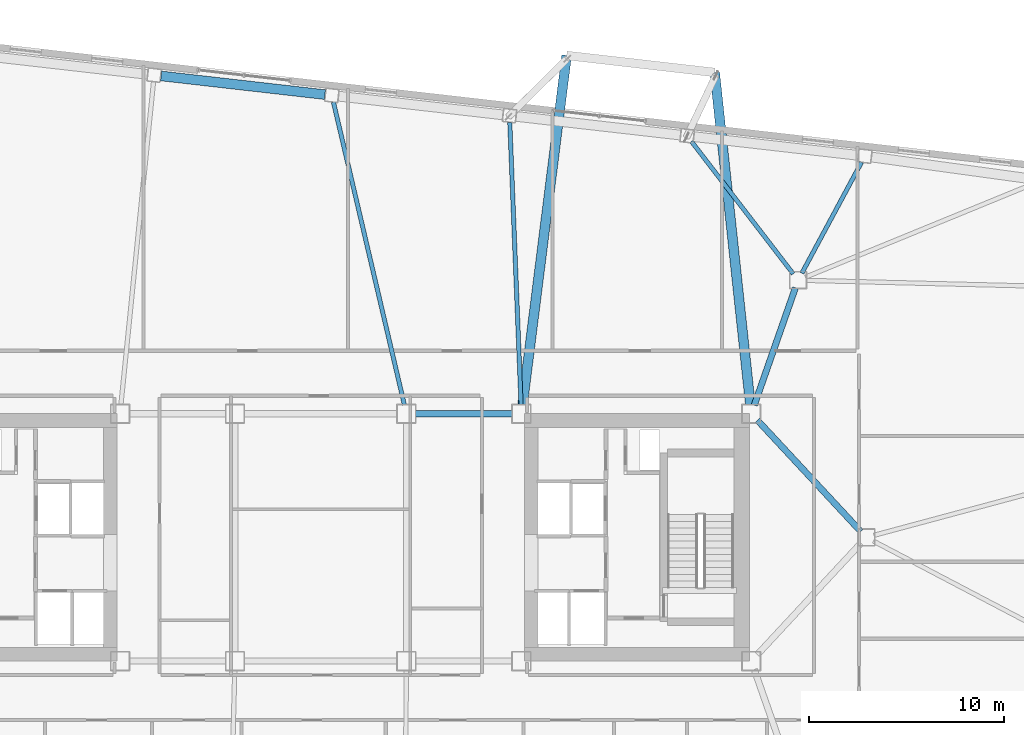
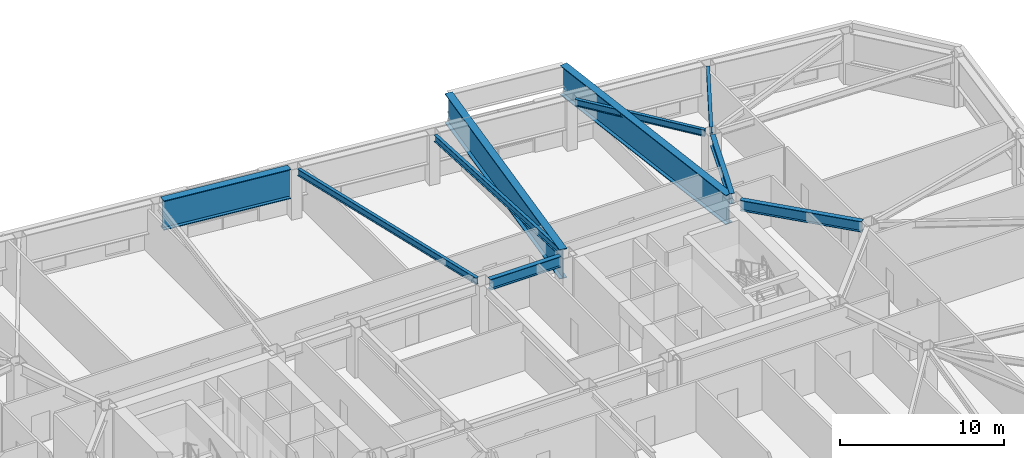
# One storey, part 7 of 21: 10 beams.
"""IFC4 building model written with IfcOpenShell, lengths in metres."""

from ifc_helpers import new_model, si_unit, direction, frame, origin, origin_2d, place, context, subcontext, project, spatial, i_section, extrude, material, material_profile, profile_set, type_object, element, save


model = new_model("IFC4")

# Units and contexts
model_context = context("Model", 3, precision=1e-05, world=origin(), true_north=direction((0.0, 1.0)))
body_context = subcontext(model_context, "Body", "Model", "MODEL_VIEW")
ifc_project = project(units=[si_unit("LENGTHUNIT", "METRE"), si_unit("AREAUNIT", "SQUARE_METRE"), si_unit("VOLUMEUNIT", "CUBIC_METRE"), si_unit("PLANEANGLEUNIT", "RADIAN"), si_unit("MASSUNIT", "GRAM", prefix="KILO")], contexts=[model_context])

# Site, building, storey
site_placement = place(None, origin())
site = spatial("IfcSite", under=ifc_project, at=site_placement, CompositionType="ELEMENT")
building_placement = place(site_placement, origin())
building = spatial("IfcBuilding", under=site, at=building_placement, Name="Tavrogorsk Clinical Tower", CompositionType="ELEMENT")
storey_placement = place(building_placement, frame((0.0, 0.0, 109.39990234375)))
storey = spatial("IfcBuildingStorey", under=building, at=storey_placement, Name="L24", CompositionType="ELEMENT", Elevation=109.39990234375)

# Beams
ifc_material_1 = material(Name="Structural steel S355", Category="steel")
ifc_material_profile_1 = material_profile(ifc_material_1, i_section(OverallWidth=0.219970703125, OverallDepth=0.5, WebThickness=0.012939453125, FlangeThickness=0.02001953125, at=origin_2d()), Name="B-500x220x13x20")
ifc_profile_set_1 = profile_set([ifc_material_profile_1], Name="Structural steel S355")
beam_type_1 = type_object("IfcBeamType", Name="FloorBeam_B500", PredefinedType="BEAM", material=ifc_profile_set_1)
beam_1_placement = place(storey_placement, frame((24.6943359375, 13.56103515625, 3.489990234375), z_axis=(0.473788919736, 0.880638438597, 0.0), x_axis=(-0.880638438597, 0.473788919736, 0.0)))
element("IfcBeam", 1, at=beam_1_placement, inside=storey, type_object=beam_type_1, Name="L24 Radial Floor Beam N2", PredefinedType="BEAM", context=body_context, shape_type="SweptSolid", body=[
    extrude(i_section(OverallWidth=0.219970703125, OverallDepth=0.5, WebThickness=0.012939453125, FlangeThickness=0.02001953125, at=origin_2d()), origin(), (0.0, 0.0, 1.0), 6.462890625),
])
beam_2_placement = place(storey_placement, frame((24.250244140625, 13.525146484375, 3.489990234375), z_axis=(-0.609376288757, 0.792881163038, 0.0), x_axis=(-0.792881163038, -0.609376288757, 0.0)))
element("IfcBeam", 2, at=beam_2_placement, inside=storey, type_object=beam_type_1, Name="L24 Radial Floor Beam N3", PredefinedType="BEAM", context=body_context, shape_type="SweptSolid", body=[
    extrude(i_section(OverallWidth=0.219970703125, OverallDepth=0.5, WebThickness=0.012939453125, FlangeThickness=0.02001953125, at=origin_2d()), origin(), (0.0, 0.0, 1.0), 8.5732421875),
])
beam_3_placement = place(storey_placement, frame((10.28173828125, 6.8095703125, 3.489990234375), z_axis=(-0.039881908424, 0.999204400201, 0.0), x_axis=(-0.999204400201, -0.039881908424, 0.0)))
element("IfcBeam", 3, at=beam_3_placement, inside=storey, type_object=beam_type_1, Name="L24 Radial Floor Beam N4", PredefinedType="BEAM", context=body_context, shape_type="SweptSolid", body=[
    extrude(i_section(OverallWidth=0.219970703125, OverallDepth=0.5, WebThickness=0.012939453125, FlangeThickness=0.02001953125, at=origin_2d()), origin(), (0.0, 0.0, 1.0), 14.48974609375),
])
beam_4_placement = place(storey_placement, frame((4.294921875, 6.7978515625, 3.489990234375), z_axis=(-0.228197667081, 0.973614823603, 0.0), x_axis=(-0.973614823603, -0.228197667081, 0.0)))
element("IfcBeam", 4, at=beam_4_placement, inside=storey, type_object=beam_type_1, Name="L24 Radial Floor Beam N5", PredefinedType="BEAM", context=body_context, shape_type="SweptSolid", body=[
    extrude(i_section(OverallWidth=0.219970703125, OverallDepth=0.5, WebThickness=0.012939453125, FlangeThickness=0.02001953125, at=origin_2d()), origin(), (0.0, 0.0, 1.0), 15.959228515625),
])
ifc_material_2 = material(Name="Structural steel S390", Category="steel")
ifc_material_profile_2 = material_profile(ifc_material_2, i_section(OverallWidth=0.320068359375, OverallDepth=0.800048828125, WebThickness=0.02001953125, FlangeThickness=0.033935546875, at=origin_2d()), Name="B-800x320x20x34")
ifc_profile_set_2 = profile_set([ifc_material_profile_2], Name="Structural steel S390")
beam_type_2 = type_object("IfcBeamType", Name="PrimaryGirder_B800", PredefinedType="USERDEFINED", material=ifc_profile_set_2)
beam_5_placement = place(storey_placement, frame((4.860107421875, 6.35009765625, 3.340087890625), z_axis=(1.0, 0.0, 0.0), x_axis=(0.0, 1.0, 0.0)))
element("IfcBeam", 5, at=beam_5_placement, inside=storey, type_object=beam_type_2, Name="L24 Primary Spine Girder MG-06", ObjectType="GIRDER", PredefinedType="USERDEFINED", context=body_context, shape_type="SweptSolid", body=[
    extrude(i_section(OverallWidth=0.320068359375, OverallDepth=0.800048828125, WebThickness=0.02001953125, FlangeThickness=0.033935546875, at=origin_2d()), origin(), (0.0, 0.0, 1.0), 4.97998046875),
])
beam_6_placement = place(storey_placement, frame((24.364501953125, 12.81298828125, 3.340087890625), z_axis=(-0.330660234815, -0.943749865755, 0.0), x_axis=(0.943749865755, -0.330660234815, 0.0)))
element("IfcBeam", 6, at=beam_6_placement, inside=storey, type_object=beam_type_2, Name="L24 Spine Link Girder OPG-4", ObjectType="GIRDER", PredefinedType="USERDEFINED", context=body_context, shape_type="SweptSolid", body=[
    extrude(i_section(OverallWidth=0.320068359375, OverallDepth=0.800048828125, WebThickness=0.02001953125, FlangeThickness=0.033935546875, at=origin_2d()), origin(), (0.0, 0.0, 1.0), 6.38818359375),
])
beam_7_placement = place(storey_placement, frame((27.720947265625, 0.30029296875, 3.340087890625), z_axis=(-0.680675630035, 0.732584934787, 0.0), x_axis=(-0.732584934787, -0.680675630035, 0.0)))
element("IfcBeam", 7, at=beam_7_placement, inside=storey, type_object=beam_type_2, Name="L24 Spine Link Girder OPG-8", ObjectType="GIRDER", PredefinedType="USERDEFINED", context=body_context, shape_type="SweptSolid", body=[
    extrude(i_section(OverallWidth=0.320068359375, OverallDepth=0.800048828125, WebThickness=0.02001953125, FlangeThickness=0.033935546875, at=origin_2d()), origin(), (0.0, 0.0, 1.0), 7.7978515625),
])
ifc_material_3 = material(Name="Structural steel S440", Category="steel")
ifc_material_profile_3 = material_profile(ifc_material_3, i_section(OverallWidth=0.5, OverallDepth=2.199951171875, WebThickness=0.035888671875, FlangeThickness=0.054931640625, at=origin_2d()), Name="DK-2200x500x36x55")
ifc_profile_set_3 = profile_set([ifc_material_profile_3], Name="Structural steel S440")
beam_type_3 = type_object("IfcBeamType", Name="TransferGirder_DK2200", PredefinedType="USERDEFINED", material=ifc_profile_set_3)
beam_8_placement = place(storey_placement, frame((0.2158203125, 22.724853515625, 2.64013671875), z_axis=(-0.993569819641, 0.113221082395, 0.0), x_axis=(-0.113221082395, -0.993569819641, 0.0)))
element("IfcBeam", 8, at=beam_8_placement, inside=storey, type_object=beam_type_3, Name="L24 Perimeter Spandrel N5-N6", ObjectType="GIRDER", PredefinedType="USERDEFINED", context=body_context, shape_type="SweptSolid", body=[
    extrude(i_section(OverallWidth=0.5, OverallDepth=2.199951171875, WebThickness=0.035888671875, FlangeThickness=0.054931640625, at=origin_2d()), origin(), (0.0, 0.0, 1.0), 8.46142578125),
])
beam_9_placement = place(storey_placement, frame((10.357666015625, 6.806396484375, 2.64013671875), z_axis=(0.12531674372, 0.992116784327, 0.0), x_axis=(-0.992116784327, 0.12531674372, 0.0)))
element("IfcBeam", 9, at=beam_9_placement, inside=storey, type_object=beam_type_3, Name="L25 Day-Room Base Transfer Girder DRB-04-L", ObjectType="GIRDER", PredefinedType="USERDEFINED", context=body_context, shape_type="SweptSolid", body=[
    extrude(i_section(OverallWidth=0.5, OverallDepth=2.199951171875, WebThickness=0.035888671875, FlangeThickness=0.054931640625, at=origin_2d()), origin(), (0.0, 0.0, 1.0), 18.0693359375),
])
beam_10_placement = place(storey_placement, frame((22.051025390625, 6.807373046875, 2.64013671875), z_axis=(-0.106664291559, 0.994295091462, 0.0), x_axis=(-0.994295091462, -0.106664291559, 0.0)))
element("IfcBeam", 10, at=beam_10_placement, inside=storey, type_object=beam_type_3, Name="L25 Day-Room Base Transfer Girder DRB-04-R", ObjectType="GIRDER", PredefinedType="USERDEFINED", context=body_context, shape_type="SweptSolid", body=[
    extrude(i_section(OverallWidth=0.5, OverallDepth=2.199951171875, WebThickness=0.035888671875, FlangeThickness=0.054931640625, at=origin_2d()), origin(), (0.0, 0.0, 1.0), 17.15283203125),
])

save(model, "model.ifc")
